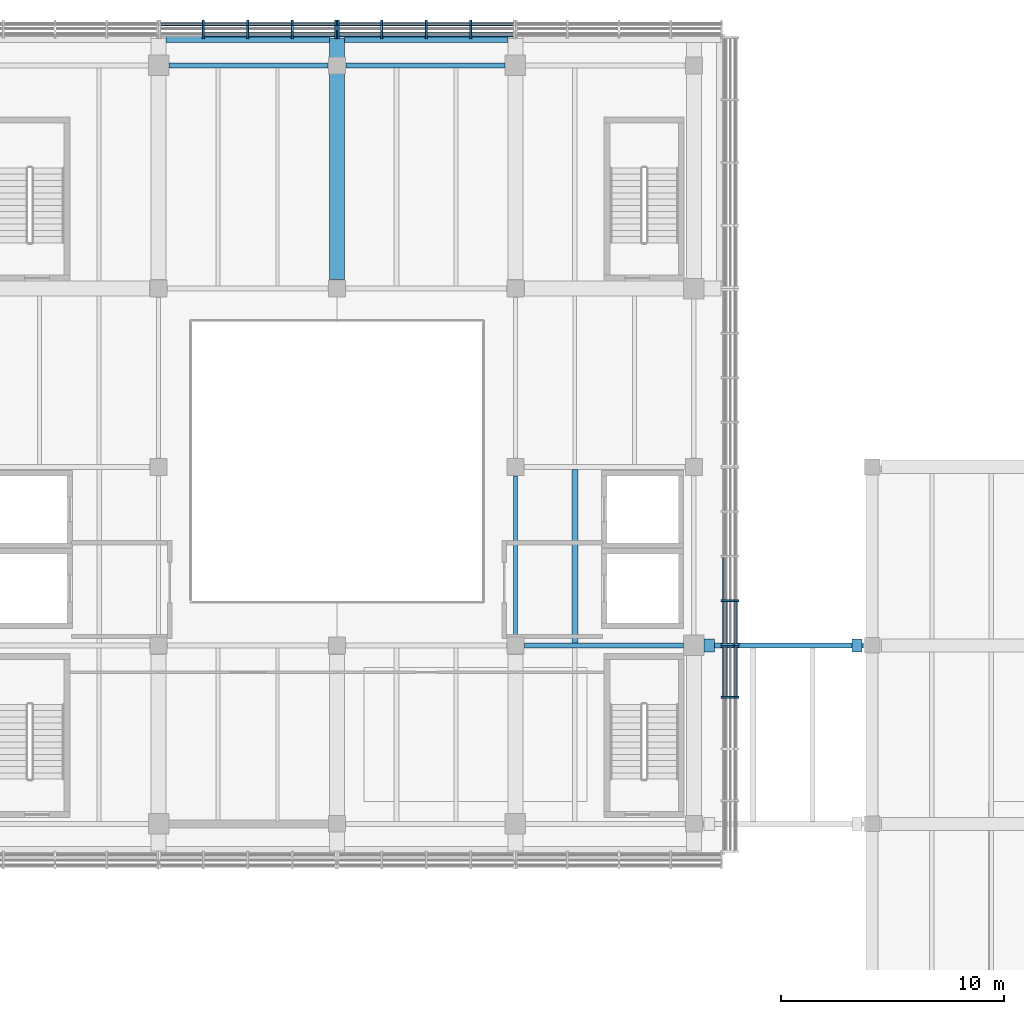
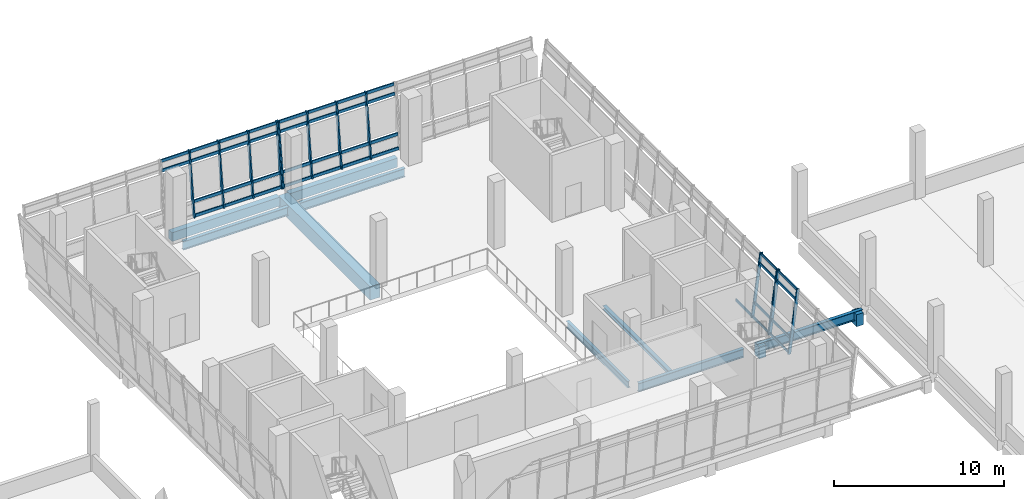
# One storey, part 15 of 52: 51 members, 11 beams, 4 elements without a shape of their own.
"""IFC4 building model written with IfcOpenShell, lengths in metres."""

import ifcopenshell
import ifcopenshell.guid

model = None  # the IFC model being written
_history = None  # IfcOwnerHistory: only IFC2X3 demands one
_inside = {}  # id of a spatial element -> (the spatial element, [elements in it])
_under = {}  # id of a project, library or spatial element -> (it, [spatial elements below it])
_declared = {}  # id of a project -> (the project, [libraries it declares])
_typed = {}  # id of a type object -> (the type object, [elements of that type])
_made_of = {}  # id of a material, layer set ... -> (it, [elements and type objects made of it])


def new_model(schema):
    """Start an empty IFC model of exactly this schema.

    Asked for "IFC4X3", IfcOpenShell would pick the latest addendum, in which some entities
    have other attributes; the version numbers below select the first issue.
    IFC2X3 requires an IfcOwnerHistory on every rooted entity: one is made here for all.
    """
    global model, _history
    if schema == "IFC4X3":
        model = ifcopenshell.file(schema_version=(4, 3, 0, 0))
    else:
        model = ifcopenshell.file(schema=schema)
    _inside.clear()
    _under.clear()
    _declared.clear()
    _typed.clear()
    _made_of.clear()
    _history = None
    if model.schema == "IFC2X3":
        org = make("IfcOrganization", Name="unknown")
        user = make(
            "IfcPersonAndOrganization",
            ThePerson=make("IfcPerson", FamilyName="unknown"),
            TheOrganization=org,
        )
        app = make(
            "IfcApplication",
            ApplicationDeveloper=org,
            Version="unknown",
            ApplicationFullName="unknown",
            ApplicationIdentifier="unknown",
        )
        _history = make(
            "IfcOwnerHistory",
            OwningUser=user,
            OwningApplication=app,
            ChangeAction="ADDED",
            CreationDate=0,
        )
    return model


def make(cls, **values):
    """One entity of the class cls with the attributes given. An attribute that is None is left unset."""
    return model.create_entity(
        cls, **{name: value for name, value in values.items() if value is not None}
    )


def rooted(cls, **values):
    """An entity with a GlobalId (a new one), such as an element, a storey or a relation."""
    return make(cls, GlobalId=ifcopenshell.guid.new(), OwnerHistory=_history, **values)


def si_unit(unit_type, name, prefix=None):
    """IfcSIUnit, for example si_unit("LENGTHUNIT", "METRE", prefix="MILLI")."""
    return make("IfcSIUnit", UnitType=unit_type, Prefix=prefix, Name=name)


def assignment(units):
    """IfcUnitAssignment: the units of a project."""
    return None if units is None else make("IfcUnitAssignment", Units=units)


def point(xyz):
    """IfcCartesianPoint."""
    return None if xyz is None else make("IfcCartesianPoint", Coordinates=xyz)


def direction(xyz):
    """IfcDirection."""
    return None if xyz is None else make("IfcDirection", DirectionRatios=xyz)


def frame(location, z_axis=None, x_axis=None):
    """IfcAxis2Placement3D, a coordinate frame: its origin and axes. An axis left out is left unset."""
    return make(
        "IfcAxis2Placement3D",
        Location=point(location),
        Axis=direction(z_axis),
        RefDirection=direction(x_axis),
    )


def frame_2d(location, x_axis=None):
    """IfcAxis2Placement2D, a coordinate frame in the plane: its origin and x axis."""
    return make(
        "IfcAxis2Placement2D", Location=point(location), RefDirection=direction(x_axis)
    )


def origin():
    """The frame at (0, 0, 0) with its axes left unset."""
    return frame((0.0, 0.0, 0.0))


def origin_2d():
    """The frame at (0, 0) in the plane with its x axis left unset."""
    return frame_2d((0.0, 0.0))


def place(relative_to, where):
    """IfcLocalPlacement: puts the frame where relative to a parent placement (None: the world)."""
    return make(
        "IfcLocalPlacement", PlacementRelTo=relative_to, RelativePlacement=where
    )


def context(
    kind, dimensions, precision=None, world=None, true_north=None, identifier=None
):
    """IfcGeometricRepresentationContext, for example the 3D "Model" context."""
    return make(
        "IfcGeometricRepresentationContext",
        ContextIdentifier=identifier,
        ContextType=kind,
        CoordinateSpaceDimension=dimensions,
        Precision=precision,
        WorldCoordinateSystem=world,
        TrueNorth=true_north,
    )


def subcontext(parent, identifier, kind, view, scale=None):
    """IfcGeometricRepresentationSubContext, for example "Body" below "Model"."""
    return make(
        "IfcGeometricRepresentationSubContext",
        ContextIdentifier=identifier,
        ContextType=kind,
        ParentContext=parent,
        TargetScale=scale,
        TargetView=view,
    )


def project(units=None, contexts=None):
    """IfcProject with its units and contexts."""
    return rooted(
        "IfcProject",
        Name="project",
        RepresentationContexts=contexts,
        UnitsInContext=assignment(units),
    )


def spatial(cls, under=None, at=None, **own):
    """A site, building, storey or space (cls), placed at a placement, below another one or the project."""
    s = rooted(cls, ObjectPlacement=at, **own)
    if under is not None:
        _under.setdefault(under.id(), (under, []))[1].append(s)
    return s


def profile(cls, at=None, kind="AREA", **sizes):
    """A parametric profile (cls). Its sizes go by their IFC names, for example OverallWidth=200.0."""
    return make(cls, ProfileType=kind, Position=at, **sizes)


def rectangle(**sizes):
    """IfcRectangleProfileDef."""
    return profile("IfcRectangleProfileDef", **sizes)


def i_section(**sizes):
    """IfcIShapeProfileDef."""
    return profile("IfcIShapeProfileDef", **sizes)


def extrude(swept, where, along, depth):
    """IfcExtrudedAreaSolid: the profile swept, set in the frame where, extruded along a direction by depth."""
    return make(
        "IfcExtrudedAreaSolid",
        SweptArea=swept,
        Position=where,
        ExtrudedDirection=direction(along),
        Depth=depth,
    )


def shape(context_of_items, identifier, shape_type, items):
    """IfcShapeRepresentation: the items that make up one representation, for example the "Body"."""
    return make(
        "IfcShapeRepresentation",
        ContextOfItems=context_of_items,
        RepresentationIdentifier=identifier,
        RepresentationType=shape_type,
        Items=items,
    )


def material(Name=None, Category=None):
    """IfcMaterial."""
    return make("IfcMaterial", Name=Name, Category=Category)


def material_profile(
    of_material, cross_section, Name=None, Category=None, Priority=None
):
    """IfcMaterialProfile: a cross section and its material."""
    return make(
        "IfcMaterialProfile",
        Name=Name,
        Material=of_material,
        Profile=cross_section,
        Priority=Priority,
        Category=Category,
    )


def profile_set(profiles, Name=None, composite=None):
    """IfcMaterialProfileSet."""
    return make(
        "IfcMaterialProfileSet",
        Name=Name,
        MaterialProfiles=profiles,
        CompositeProfile=composite,
    )


def made_of(thing, what):
    """Note that an element or type object is made of a material, layer set ...; save() writes the relation."""
    if what is not None:
        _made_of.setdefault(what.id(), (what, []))[1].append(thing)
    return thing


def type_object(cls, material=None, **own):
    """A type object (cls), such as IfcWallType, which elements share."""
    return made_of(rooted(cls, **own), material)


def element(
    cls,
    number,
    at=None,
    inside=None,
    cuts=None,
    type_object=None,
    material=None,
    context=None,
    identifier="Body",
    shape_type=None,
    held_by="IfcProductDefinitionShape",
    body=None,
    shapes=None,
    **own,
):
    """One element of the class cls, such as IfcWall. Its Tag is "e" and its number.

    at: its placement. inside: the storey or other place that contains it. cuts: it is an
    opening in that element (IfcRelVoidsElement). A single representation is given by context,
    identifier, shape_type and body (its items); several are given by shapes. held_by: the class
    of the entity that holds the representations. save() writes the other relations.
    """
    e = rooted(cls, Tag="e%d" % number, ObjectPlacement=at, **own)
    if body is not None:
        shapes = [shape(context, identifier, shape_type, body)]
    if shapes is not None:
        e.Representation = make(held_by, Representations=shapes)
    if inside is not None:
        _inside.setdefault(inside.id(), (inside, []))[1].append(e)
    if cuts is not None:
        rooted(
            "IfcRelVoidsElement", RelatingBuildingElement=cuts, RelatedOpeningElement=e
        )
    if type_object is not None:
        _typed.setdefault(type_object.id(), (type_object, []))[1].append(e)
    return made_of(e, material)


def aggregate(whole, parts):
    """IfcRelAggregates: a whole, such as a stair, and the parts it consists of."""
    return rooted("IfcRelAggregates", RelatingObject=whole, RelatedObjects=parts)


def save(model, path):
    """Write the relations noted so far, then the file.

    IfcRelAggregates (storeys below a building ...), IfcRelContainedInSpatialStructure (elements
    in a storey), IfcRelDefinesByType, IfcRelAssociatesMaterial and IfcRelDeclares: one each for
    every whole, place, type object, material and project.
    """
    for whole, parts in _under.values():
        aggregate(whole, parts)
    for where, things in _inside.values():
        rooted(
            "IfcRelContainedInSpatialStructure",
            RelatedElements=things,
            RelatingStructure=where,
        )
    for kind, things in _typed.values():
        rooted("IfcRelDefinesByType", RelatedObjects=things, RelatingType=kind)
    for what, things in _made_of.values():
        rooted("IfcRelAssociatesMaterial", RelatedObjects=things, RelatingMaterial=what)
    for by, libraries in _declared.values():
        rooted("IfcRelDeclares", RelatingContext=by, RelatedDefinitions=libraries)
    model.write(path)


model = new_model("IFC4")

# Units and contexts
model_context = context("Model", 3, precision=1e-05, world=origin(), true_north=direction((0.0, 1.0)))
body_context = subcontext(model_context, "Body", "Model", "MODEL_VIEW")
ifc_project = project(units=[si_unit("LENGTHUNIT", "METRE"), si_unit("AREAUNIT", "SQUARE_METRE"), si_unit("VOLUMEUNIT", "CUBIC_METRE"), si_unit("PLANEANGLEUNIT", "RADIAN"), si_unit("MASSUNIT", "GRAM", prefix="KILO")], contexts=[model_context])

# Site, building, storey
site_placement = place(None, origin())
site = spatial("IfcSite", under=ifc_project, at=site_placement, CompositionType="ELEMENT")
building_placement = place(site_placement, origin())
building = spatial("IfcBuilding", under=site, at=building_placement, Name="Pecanmere Concourse Central Library", CompositionType="ELEMENT")
storey_placement = place(building_placement, frame((0.0, 0.0, 10.5)))
storey = spatial("IfcBuildingStorey", under=building, at=storey_placement, Name="L03", CompositionType="ELEMENT", Elevation=10.5)

# Curtain wall, members
ifc_material_1 = material(Name="Anodized bronze aluminium alloy 6063-T6", Category="aluminium")
curtain_wall_type_1 = type_object("IfcCurtainWallType", Name="CW_LEAN_BANDED", PredefinedType="USERDEFINED", material=ifc_material_1)
curtain_wall_1_placement = place(storey_placement, origin())
curtain_wall_1 = element("IfcCurtainWall", 1, at=curtain_wall_1_placement, inside=storey, type_object=curtain_wall_type_1, Name="Unitised Curtain Wall CW-01 L03-030", ObjectType="UNITISED CURTAIN WALL", PredefinedType="USERDEFINED")
ifc_material_2 = material(Name="Anodized bronze aluminium alloy 6063-T6", Category="aluminium")
ifc_material_profile_1 = material_profile(ifc_material_2, rectangle(XDim=0.074951171875, YDim=0.199951171875, at=origin_2d()), Name="AL 75x200")
ifc_profile_set_1 = profile_set([ifc_material_profile_1], Name="Anodized bronze aluminium alloy 6063-T6")
member_type_1 = type_object("IfcMemberType", Name="CWM_200x75", PredefinedType="MULLION", material=ifc_profile_set_1)
member_1_placement = place(storey_placement, frame((105.321044921875, 95.676025390625, 0.0), z_axis=(0.132234484848, 0.0, 0.991218462811), x_axis=(0.0, 1.0, 0.0)))
member_1 = element("IfcMember", 2, at=member_1_placement, type_object=member_type_1, Name="CW-01 Mullion 4", PredefinedType="MULLION", context=body_context, shape_type="SweptSolid", body=[
    extrude(rectangle(XDim=0.074951171875, YDim=0.199951171875, at=origin_2d()), origin(), (0.0, 0.0, 1.0), 4.519775390625),
])
member_2_placement = place(storey_placement, frame((105.321044921875, 97.95751953125, 0.0), z_axis=(0.132234484848, 0.0, 0.991218462811), x_axis=(0.0, 1.0, 0.0)))
member_2 = element("IfcMember", 3, at=member_2_placement, type_object=member_type_1, Name="CW-01 Mullion 5", PredefinedType="MULLION", context=body_context, shape_type="SweptSolid", body=[
    extrude(rectangle(XDim=0.074951171875, YDim=0.199951171875, at=origin_2d()), origin(), (0.0, 0.0, 1.0), 4.519775390625),
])

curtain_wall_2_placement = place(storey_placement, origin())
curtain_wall_2 = element("IfcCurtainWall", 4, at=curtain_wall_2_placement, inside=storey, type_object=curtain_wall_type_1, Name="Unitised Curtain Wall CW-01 L03-031", ObjectType="UNITISED CURTAIN WALL", PredefinedType="USERDEFINED")
member_3_placement = place(storey_placement, frame((105.321044921875, 98.04248046875, 0.0), z_axis=(0.132234484848, 0.0, 0.991218462811), x_axis=(0.0, 1.0, 0.0)))
member_3 = element("IfcMember", 5, at=member_3_placement, type_object=member_type_1, Name="CW-01 Mullion 1", PredefinedType="MULLION", context=body_context, shape_type="SweptSolid", body=[
    extrude(rectangle(XDim=0.074951171875, YDim=0.199951171875, at=origin_2d()), origin(), (0.0, 0.0, 1.0), 4.519775390625),
])
member_4_placement = place(storey_placement, frame((105.321044921875, 100.00244140625, 0.0), z_axis=(0.132234484848, 0.0, 0.991218462811), x_axis=(0.0, 1.0, 0.0)))
member_4 = element("IfcMember", 6, at=member_4_placement, type_object=member_type_1, Name="CW-01 Mullion 2", PredefinedType="MULLION", context=body_context, shape_type="SweptSolid", body=[
    extrude(rectangle(XDim=0.074951171875, YDim=0.199951171875, at=origin_2d()), origin(), (0.0, 0.0, 1.0), 4.519775390625),
])

ifc_material_3 = material(Name="Anodized bronze aluminium alloy 6063-T6", Category="aluminium")
curtain_wall_type_2 = type_object("IfcCurtainWallType", Name="CW_PORTAL_CLEAR", PredefinedType="USERDEFINED", material=ifc_material_3)
curtain_wall_3_placement = place(storey_placement, origin())
curtain_wall_3 = element("IfcCurtainWall", 7, at=curtain_wall_3_placement, inside=storey, type_object=curtain_wall_type_2, Name="Unitised Curtain Wall CW-03 L03-023", ObjectType="UNITISED CURTAIN WALL", PredefinedType="USERDEFINED")
ifc_material_4 = material(Name="Anodized bronze aluminium alloy 6063-T6", Category="aluminium")
ifc_material_profile_2 = material_profile(ifc_material_4, rectangle(XDim=0.0849609375, YDim=0.239990234375, at=origin_2d()), Name="AL 85x240")
ifc_profile_set_2 = profile_set([ifc_material_profile_2], Name="Anodized bronze aluminium alloy 6063-T6")
member_type_2 = type_object("IfcMemberType", Name="CWM_240x85", PredefinedType="MULLION", material=ifc_profile_set_2)
member_5_placement = place(storey_placement, frame((93.99755859375, 125.321044921875, 0.0), z_axis=(0.0, 0.132234484848, 0.991218462811), x_axis=(-1.0, 0.0, 0.0)))
member_5 = element("IfcMember", 8, at=member_5_placement, type_object=member_type_2, Name="CW-03 Mullion 2", PredefinedType="MULLION", context=body_context, shape_type="SweptSolid", body=[
    extrude(rectangle(XDim=0.0849609375, YDim=0.239990234375, at=origin_2d()), origin(), (0.0, 0.0, 1.0), 4.519775390625),
])
member_6_placement = place(storey_placement, frame((92.0, 125.321044921875, 0.0), z_axis=(0.0, 0.132234484848, 0.991218462811), x_axis=(-1.0, 0.0, 0.0)))
member_6 = element("IfcMember", 9, at=member_6_placement, type_object=member_type_2, Name="CW-03 Mullion 3", PredefinedType="MULLION", context=body_context, shape_type="SweptSolid", body=[
    extrude(rectangle(XDim=0.0849609375, YDim=0.239990234375, at=origin_2d()), origin(), (0.0, 0.0, 1.0), 4.519775390625),
])
member_7_placement = place(storey_placement, frame((90.00244140625, 125.321044921875, 0.0), z_axis=(0.0, 0.132234484848, 0.991218462811), x_axis=(-1.0, 0.0, 0.0)))
member_7 = element("IfcMember", 10, at=member_7_placement, type_object=member_type_2, Name="CW-03 Mullion 4", PredefinedType="MULLION", context=body_context, shape_type="SweptSolid", body=[
    extrude(rectangle(XDim=0.0849609375, YDim=0.239990234375, at=origin_2d()), origin(), (0.0, 0.0, 1.0), 4.519775390625),
])
member_8_placement = place(storey_placement, frame((88.047607421875, 125.321044921875, 0.0), z_axis=(0.0, 0.132234484848, 0.991218462811), x_axis=(-1.0, 0.0, 0.0)))
member_8 = element("IfcMember", 11, at=member_8_placement, type_object=member_type_2, Name="CW-03 Mullion 5", PredefinedType="MULLION", context=body_context, shape_type="SweptSolid", body=[
    extrude(rectangle(XDim=0.0849609375, YDim=0.239990234375, at=origin_2d()), origin(), (0.0, 0.0, 1.0), 4.519775390625),
])

curtain_wall_4_placement = place(storey_placement, origin())
curtain_wall_4 = element("IfcCurtainWall", 12, at=curtain_wall_4_placement, inside=storey, type_object=curtain_wall_type_2, Name="Unitised Curtain Wall CW-03 L03-024", ObjectType="UNITISED CURTAIN WALL", PredefinedType="USERDEFINED")
member_9_placement = place(storey_placement, frame((87.952392578125, 125.321044921875, 0.0), z_axis=(0.0, 0.132234484848, 0.991218462811), x_axis=(-1.0, 0.0, 0.0)))
member_9 = element("IfcMember", 13, at=member_9_placement, type_object=member_type_2, Name="CW-03 Mullion 1", PredefinedType="MULLION", context=body_context, shape_type="SweptSolid", body=[
    extrude(rectangle(XDim=0.0849609375, YDim=0.239990234375, at=origin_2d()), origin(), (0.0, 0.0, 1.0), 4.519775390625),
])
member_10_placement = place(storey_placement, frame((85.99755859375, 125.321044921875, 0.0), z_axis=(0.0, 0.132234484848, 0.991218462811), x_axis=(-1.0, 0.0, 0.0)))
member_10 = element("IfcMember", 14, at=member_10_placement, type_object=member_type_2, Name="CW-03 Mullion 2", PredefinedType="MULLION", context=body_context, shape_type="SweptSolid", body=[
    extrude(rectangle(XDim=0.0849609375, YDim=0.239990234375, at=origin_2d()), origin(), (0.0, 0.0, 1.0), 4.519775390625),
])
member_11_placement = place(storey_placement, frame((84.0, 125.321044921875, 0.0), z_axis=(0.0, 0.132234484848, 0.991218462811), x_axis=(-1.0, 0.0, 0.0)))
member_11 = element("IfcMember", 15, at=member_11_placement, type_object=member_type_2, Name="CW-03 Mullion 3", PredefinedType="MULLION", context=body_context, shape_type="SweptSolid", body=[
    extrude(rectangle(XDim=0.0849609375, YDim=0.239990234375, at=origin_2d()), origin(), (0.0, 0.0, 1.0), 4.519775390625),
])
member_12_placement = place(storey_placement, frame((82.00244140625, 125.321044921875, 0.0), z_axis=(0.0, 0.132234484848, 0.991218462811), x_axis=(-1.0, 0.0, 0.0)))
member_12 = element("IfcMember", 16, at=member_12_placement, type_object=member_type_2, Name="CW-03 Mullion 4", PredefinedType="MULLION", context=body_context, shape_type="SweptSolid", body=[
    extrude(rectangle(XDim=0.0849609375, YDim=0.239990234375, at=origin_2d()), origin(), (0.0, 0.0, 1.0), 4.519775390625),
])

# Member
ifc_material_5 = material(Name="Anodized bronze aluminium alloy 6063-T6", Category="aluminium")
ifc_material_profile_3 = material_profile(ifc_material_5, rectangle(XDim=0.06494140625, YDim=0.179931640625, at=origin_2d()), Name="AL 65x180")
ifc_profile_set_3 = profile_set([ifc_material_profile_3], Name="Anodized bronze aluminium alloy 6063-T6")
member_type_3 = type_object("IfcMemberType", Name="CWT_180x65", PredefinedType="USERDEFINED", material=ifc_profile_set_3)
member_13_placement = place(storey_placement, frame((105.3330078125, 95.71337890625, 0.090087890625), z_axis=(0.0, 1.0, 0.0), x_axis=(-1.0, 0.0, 0.0)))
member_13 = element("IfcMember", 17, at=member_13_placement, type_object=member_type_3, Name="CW-01 Transom 4.1", ObjectType="TRANSOM", PredefinedType="USERDEFINED", context=body_context, shape_type="SweptSolid", body=[
    extrude(rectangle(XDim=0.06494140625, YDim=0.179931640625, at=origin_2d()), origin(), (0.0, 0.0, 1.0), 2.20654296875),
])

member_14_placement = place(storey_placement, frame((105.461181640625, 95.71337890625, 1.050048828125), z_axis=(0.0, 1.0, 0.0), x_axis=(-1.0, 0.0, 0.0)))
member_14 = element("IfcMember", 18, at=member_14_placement, type_object=member_type_3, Name="CW-01 Transom 4.2", ObjectType="TRANSOM", PredefinedType="USERDEFINED", context=body_context, shape_type="SweptSolid", body=[
    extrude(rectangle(XDim=0.06494140625, YDim=0.179931640625, at=origin_2d()), origin(), (0.0, 0.0, 1.0), 2.20654296875),
])

member_15_placement = place(storey_placement, frame((105.818603515625, 95.71337890625, 3.72998046875), z_axis=(0.0, 1.0, 0.0), x_axis=(-1.0, 0.0, 0.0)))
member_15 = element("IfcMember", 19, at=member_15_placement, type_object=member_type_3, Name="CW-01 Transom 4.3", ObjectType="TRANSOM", PredefinedType="USERDEFINED", context=body_context, shape_type="SweptSolid", body=[
    extrude(rectangle(XDim=0.06494140625, YDim=0.179931640625, at=origin_2d()), origin(), (0.0, 0.0, 1.0), 2.20654296875),
])

member_16_placement = place(storey_placement, frame((105.90673828125, 95.71337890625, 4.389892578125), z_axis=(0.0, 1.0, 0.0), x_axis=(-1.0, 0.0, 0.0)))
member_16 = element("IfcMember", 20, at=member_16_placement, type_object=member_type_3, Name="CW-01 Transom 4.4", ObjectType="TRANSOM", PredefinedType="USERDEFINED", context=body_context, shape_type="SweptSolid", body=[
    extrude(rectangle(XDim=0.06494140625, YDim=0.179931640625, at=origin_2d()), origin(), (0.0, 0.0, 1.0), 2.20654296875),
])

aggregate(curtain_wall_1, [member_1, member_2, member_13, member_14, member_15, member_16])

member_17_placement = place(storey_placement, frame((105.3330078125, 98.080078125, 0.090087890625), z_axis=(0.0, 1.0, 0.0), x_axis=(-1.0, 0.0, 0.0)))
member_17 = element("IfcMember", 21, at=member_17_placement, type_object=member_type_3, Name="CW-01 Transom 1.1", ObjectType="TRANSOM", PredefinedType="USERDEFINED", context=body_context, shape_type="SweptSolid", body=[
    extrude(rectangle(XDim=0.06494140625, YDim=0.179931640625, at=origin_2d()), origin(), (0.0, 0.0, 1.0), 1.885009765625),
])

member_18_placement = place(storey_placement, frame((105.461181640625, 98.080078125, 1.050048828125), z_axis=(0.0, 1.0, 0.0), x_axis=(-1.0, 0.0, 0.0)))
member_18 = element("IfcMember", 22, at=member_18_placement, type_object=member_type_3, Name="CW-01 Transom 1.2", ObjectType="TRANSOM", PredefinedType="USERDEFINED", context=body_context, shape_type="SweptSolid", body=[
    extrude(rectangle(XDim=0.06494140625, YDim=0.179931640625, at=origin_2d()), origin(), (0.0, 0.0, 1.0), 1.885009765625),
])

member_19_placement = place(storey_placement, frame((105.818603515625, 98.080078125, 3.72998046875), z_axis=(0.0, 1.0, 0.0), x_axis=(-1.0, 0.0, 0.0)))
member_19 = element("IfcMember", 23, at=member_19_placement, type_object=member_type_3, Name="CW-01 Transom 1.3", ObjectType="TRANSOM", PredefinedType="USERDEFINED", context=body_context, shape_type="SweptSolid", body=[
    extrude(rectangle(XDim=0.06494140625, YDim=0.179931640625, at=origin_2d()), origin(), (0.0, 0.0, 1.0), 1.885009765625),
])

member_20_placement = place(storey_placement, frame((105.90673828125, 98.080078125, 4.389892578125), z_axis=(0.0, 1.0, 0.0), x_axis=(-1.0, 0.0, 0.0)))
member_20 = element("IfcMember", 24, at=member_20_placement, type_object=member_type_3, Name="CW-01 Transom 1.4", ObjectType="TRANSOM", PredefinedType="USERDEFINED", context=body_context, shape_type="SweptSolid", body=[
    extrude(rectangle(XDim=0.06494140625, YDim=0.179931640625, at=origin_2d()), origin(), (0.0, 0.0, 1.0), 1.885009765625),
])

member_21_placement = place(storey_placement, frame((105.3330078125, 100.0400390625, 0.090087890625), z_axis=(0.0, 1.0, 0.0), x_axis=(-1.0, 0.0, 0.0)))
member_21 = element("IfcMember", 25, at=member_21_placement, type_object=member_type_3, Name="CW-01 Transom 2.1", ObjectType="TRANSOM", PredefinedType="USERDEFINED", context=body_context, shape_type="SweptSolid", body=[
    extrude(rectangle(XDim=0.06494140625, YDim=0.179931640625, at=origin_2d()), origin(), (0.0, 0.0, 1.0), 1.92236328125),
])

aggregate(curtain_wall_2, [member_3, member_4, member_17, member_18, member_19, member_20, member_21])

ifc_material_6 = material(Name="Anodized bronze aluminium alloy 6063-T6", Category="aluminium")
ifc_material_profile_4 = material_profile(ifc_material_6, rectangle(XDim=0.074951171875, YDim=0.2099609375, at=origin_2d()), Name="AL 75x210")
ifc_profile_set_4 = profile_set([ifc_material_profile_4], Name="Anodized bronze aluminium alloy 6063-T6")
member_type_4 = type_object("IfcMemberType", Name="CWT_210x75", PredefinedType="USERDEFINED", material=ifc_profile_set_4)
member_22_placement = place(storey_placement, frame((95.909912109375, 125.3349609375, 0.10498046875), z_axis=(-1.0, 0.0, 0.0), x_axis=(0.0, -1.0, 0.0)))
member_22 = element("IfcMember", 26, at=member_22_placement, type_object=member_type_4, Name="CW-03 Transom 1.1", ObjectType="TRANSOM", PredefinedType="USERDEFINED", context=body_context, shape_type="SweptSolid", body=[
    extrude(rectangle(XDim=0.074951171875, YDim=0.2099609375, at=origin_2d()), origin(), (0.0, 0.0, 1.0), 1.869873046875),
])

member_23_placement = place(storey_placement, frame((95.909912109375, 125.461181640625, 1.050048828125), z_axis=(-1.0, 0.0, 0.0), x_axis=(0.0, -1.0, 0.0)))
member_23 = element("IfcMember", 27, at=member_23_placement, type_object=member_type_4, Name="CW-03 Transom 1.2", ObjectType="TRANSOM", PredefinedType="USERDEFINED", context=body_context, shape_type="SweptSolid", body=[
    extrude(rectangle(XDim=0.074951171875, YDim=0.2099609375, at=origin_2d()), origin(), (0.0, 0.0, 1.0), 1.869873046875),
])

member_24_placement = place(storey_placement, frame((95.909912109375, 125.818603515625, 3.72998046875), z_axis=(-1.0, 0.0, 0.0), x_axis=(0.0, -1.0, 0.0)))
member_24 = element("IfcMember", 28, at=member_24_placement, type_object=member_type_4, Name="CW-03 Transom 1.3", ObjectType="TRANSOM", PredefinedType="USERDEFINED", context=body_context, shape_type="SweptSolid", body=[
    extrude(rectangle(XDim=0.074951171875, YDim=0.2099609375, at=origin_2d()), origin(), (0.0, 0.0, 1.0), 1.869873046875),
])

member_25_placement = place(storey_placement, frame((95.909912109375, 125.90478515625, 4.375), z_axis=(-1.0, 0.0, 0.0), x_axis=(0.0, -1.0, 0.0)))
member_25 = element("IfcMember", 29, at=member_25_placement, type_object=member_type_4, Name="CW-03 Transom 1.4", ObjectType="TRANSOM", PredefinedType="USERDEFINED", context=body_context, shape_type="SweptSolid", body=[
    extrude(rectangle(XDim=0.074951171875, YDim=0.2099609375, at=origin_2d()), origin(), (0.0, 0.0, 1.0), 1.869873046875),
])

member_26_placement = place(storey_placement, frame((93.955078125, 125.3349609375, 0.10498046875), z_axis=(-1.0, 0.0, 0.0), x_axis=(0.0, -1.0, 0.0)))
member_26 = element("IfcMember", 30, at=member_26_placement, type_object=member_type_4, Name="CW-03 Transom 2.1", ObjectType="TRANSOM", PredefinedType="USERDEFINED", context=body_context, shape_type="SweptSolid", body=[
    extrude(rectangle(XDim=0.074951171875, YDim=0.2099609375, at=origin_2d()), origin(), (0.0, 0.0, 1.0), 1.91259765625),
])

member_27_placement = place(storey_placement, frame((93.955078125, 125.461181640625, 1.050048828125), z_axis=(-1.0, 0.0, 0.0), x_axis=(0.0, -1.0, 0.0)))
member_27 = element("IfcMember", 31, at=member_27_placement, type_object=member_type_4, Name="CW-03 Transom 2.2", ObjectType="TRANSOM", PredefinedType="USERDEFINED", context=body_context, shape_type="SweptSolid", body=[
    extrude(rectangle(XDim=0.074951171875, YDim=0.2099609375, at=origin_2d()), origin(), (0.0, 0.0, 1.0), 1.91259765625),
])

member_28_placement = place(storey_placement, frame((93.955078125, 125.818603515625, 3.72998046875), z_axis=(-1.0, 0.0, 0.0), x_axis=(0.0, -1.0, 0.0)))
member_28 = element("IfcMember", 32, at=member_28_placement, type_object=member_type_4, Name="CW-03 Transom 2.3", ObjectType="TRANSOM", PredefinedType="USERDEFINED", context=body_context, shape_type="SweptSolid", body=[
    extrude(rectangle(XDim=0.074951171875, YDim=0.2099609375, at=origin_2d()), origin(), (0.0, 0.0, 1.0), 1.91259765625),
])

member_29_placement = place(storey_placement, frame((93.955078125, 125.90478515625, 4.375), z_axis=(-1.0, 0.0, 0.0), x_axis=(0.0, -1.0, 0.0)))
member_29 = element("IfcMember", 33, at=member_29_placement, type_object=member_type_4, Name="CW-03 Transom 2.4", ObjectType="TRANSOM", PredefinedType="USERDEFINED", context=body_context, shape_type="SweptSolid", body=[
    extrude(rectangle(XDim=0.074951171875, YDim=0.2099609375, at=origin_2d()), origin(), (0.0, 0.0, 1.0), 1.91259765625),
])

member_30_placement = place(storey_placement, frame((91.95751953125, 125.3349609375, 0.10498046875), z_axis=(-1.0, 0.0, 0.0), x_axis=(0.0, -1.0, 0.0)))
member_30 = element("IfcMember", 34, at=member_30_placement, type_object=member_type_4, Name="CW-03 Transom 3.1", ObjectType="TRANSOM", PredefinedType="USERDEFINED", context=body_context, shape_type="SweptSolid", body=[
    extrude(rectangle(XDim=0.074951171875, YDim=0.2099609375, at=origin_2d()), origin(), (0.0, 0.0, 1.0), 1.91259765625),
])

member_31_placement = place(storey_placement, frame((91.95751953125, 125.461181640625, 1.050048828125), z_axis=(-1.0, 0.0, 0.0), x_axis=(0.0, -1.0, 0.0)))
member_31 = element("IfcMember", 35, at=member_31_placement, type_object=member_type_4, Name="CW-03 Transom 3.2", ObjectType="TRANSOM", PredefinedType="USERDEFINED", context=body_context, shape_type="SweptSolid", body=[
    extrude(rectangle(XDim=0.074951171875, YDim=0.2099609375, at=origin_2d()), origin(), (0.0, 0.0, 1.0), 1.91259765625),
])

member_32_placement = place(storey_placement, frame((91.95751953125, 125.818603515625, 3.72998046875), z_axis=(-1.0, 0.0, 0.0), x_axis=(0.0, -1.0, 0.0)))
member_32 = element("IfcMember", 36, at=member_32_placement, type_object=member_type_4, Name="CW-03 Transom 3.3", ObjectType="TRANSOM", PredefinedType="USERDEFINED", context=body_context, shape_type="SweptSolid", body=[
    extrude(rectangle(XDim=0.074951171875, YDim=0.2099609375, at=origin_2d()), origin(), (0.0, 0.0, 1.0), 1.91259765625),
])

member_33_placement = place(storey_placement, frame((91.95751953125, 125.90478515625, 4.375), z_axis=(-1.0, 0.0, 0.0), x_axis=(0.0, -1.0, 0.0)))
member_33 = element("IfcMember", 37, at=member_33_placement, type_object=member_type_4, Name="CW-03 Transom 3.4", ObjectType="TRANSOM", PredefinedType="USERDEFINED", context=body_context, shape_type="SweptSolid", body=[
    extrude(rectangle(XDim=0.074951171875, YDim=0.2099609375, at=origin_2d()), origin(), (0.0, 0.0, 1.0), 1.91259765625),
])

member_34_placement = place(storey_placement, frame((89.9599609375, 125.3349609375, 0.10498046875), z_axis=(-1.0, 0.0, 0.0), x_axis=(0.0, -1.0, 0.0)))
member_34 = element("IfcMember", 38, at=member_34_placement, type_object=member_type_4, Name="CW-03 Transom 4.1", ObjectType="TRANSOM", PredefinedType="USERDEFINED", context=body_context, shape_type="SweptSolid", body=[
    extrude(rectangle(XDim=0.074951171875, YDim=0.2099609375, at=origin_2d()), origin(), (0.0, 0.0, 1.0), 1.869873046875),
])

member_35_placement = place(storey_placement, frame((89.9599609375, 125.461181640625, 1.050048828125), z_axis=(-1.0, 0.0, 0.0), x_axis=(0.0, -1.0, 0.0)))
member_35 = element("IfcMember", 39, at=member_35_placement, type_object=member_type_4, Name="CW-03 Transom 4.2", ObjectType="TRANSOM", PredefinedType="USERDEFINED", context=body_context, shape_type="SweptSolid", body=[
    extrude(rectangle(XDim=0.074951171875, YDim=0.2099609375, at=origin_2d()), origin(), (0.0, 0.0, 1.0), 1.869873046875),
])

member_36_placement = place(storey_placement, frame((89.9599609375, 125.818603515625, 3.72998046875), z_axis=(-1.0, 0.0, 0.0), x_axis=(0.0, -1.0, 0.0)))
member_36 = element("IfcMember", 40, at=member_36_placement, type_object=member_type_4, Name="CW-03 Transom 4.3", ObjectType="TRANSOM", PredefinedType="USERDEFINED", context=body_context, shape_type="SweptSolid", body=[
    extrude(rectangle(XDim=0.074951171875, YDim=0.2099609375, at=origin_2d()), origin(), (0.0, 0.0, 1.0), 1.869873046875),
])

member_37_placement = place(storey_placement, frame((89.9599609375, 125.90478515625, 4.375), z_axis=(-1.0, 0.0, 0.0), x_axis=(0.0, -1.0, 0.0)))
member_37 = element("IfcMember", 41, at=member_37_placement, type_object=member_type_4, Name="CW-03 Transom 4.4", ObjectType="TRANSOM", PredefinedType="USERDEFINED", context=body_context, shape_type="SweptSolid", body=[
    extrude(rectangle(XDim=0.074951171875, YDim=0.2099609375, at=origin_2d()), origin(), (0.0, 0.0, 1.0), 1.869873046875),
])

aggregate(curtain_wall_3, [member_5, member_6, member_7, member_8, member_22, member_23, member_24, member_25, member_26, member_27, member_28, member_29, member_30, member_31, member_32, member_33, member_34, member_35, member_36, member_37])

member_38_placement = place(storey_placement, frame((87.909912109375, 125.3349609375, 0.10498046875), z_axis=(-1.0, 0.0, 0.0), x_axis=(0.0, -1.0, 0.0)))
member_38 = element("IfcMember", 42, at=member_38_placement, type_object=member_type_4, Name="CW-03 Transom 1.1", ObjectType="TRANSOM", PredefinedType="USERDEFINED", context=body_context, shape_type="SweptSolid", body=[
    extrude(rectangle(XDim=0.074951171875, YDim=0.2099609375, at=origin_2d()), origin(), (0.0, 0.0, 1.0), 1.869873046875),
])

member_39_placement = place(storey_placement, frame((87.909912109375, 125.461181640625, 1.050048828125), z_axis=(-1.0, 0.0, 0.0), x_axis=(0.0, -1.0, 0.0)))
member_39 = element("IfcMember", 43, at=member_39_placement, type_object=member_type_4, Name="CW-03 Transom 1.2", ObjectType="TRANSOM", PredefinedType="USERDEFINED", context=body_context, shape_type="SweptSolid", body=[
    extrude(rectangle(XDim=0.074951171875, YDim=0.2099609375, at=origin_2d()), origin(), (0.0, 0.0, 1.0), 1.869873046875),
])

member_40_placement = place(storey_placement, frame((87.909912109375, 125.818603515625, 3.72998046875), z_axis=(-1.0, 0.0, 0.0), x_axis=(0.0, -1.0, 0.0)))
member_40 = element("IfcMember", 44, at=member_40_placement, type_object=member_type_4, Name="CW-03 Transom 1.3", ObjectType="TRANSOM", PredefinedType="USERDEFINED", context=body_context, shape_type="SweptSolid", body=[
    extrude(rectangle(XDim=0.074951171875, YDim=0.2099609375, at=origin_2d()), origin(), (0.0, 0.0, 1.0), 1.869873046875),
])

member_41_placement = place(storey_placement, frame((87.909912109375, 125.90478515625, 4.375), z_axis=(-1.0, 0.0, 0.0), x_axis=(0.0, -1.0, 0.0)))
member_41 = element("IfcMember", 45, at=member_41_placement, type_object=member_type_4, Name="CW-03 Transom 1.4", ObjectType="TRANSOM", PredefinedType="USERDEFINED", context=body_context, shape_type="SweptSolid", body=[
    extrude(rectangle(XDim=0.074951171875, YDim=0.2099609375, at=origin_2d()), origin(), (0.0, 0.0, 1.0), 1.869873046875),
])

member_42_placement = place(storey_placement, frame((85.955078125, 125.3349609375, 0.10498046875), z_axis=(-1.0, 0.0, 0.0), x_axis=(0.0, -1.0, 0.0)))
member_42 = element("IfcMember", 46, at=member_42_placement, type_object=member_type_4, Name="CW-03 Transom 2.1", ObjectType="TRANSOM", PredefinedType="USERDEFINED", context=body_context, shape_type="SweptSolid", body=[
    extrude(rectangle(XDim=0.074951171875, YDim=0.2099609375, at=origin_2d()), origin(), (0.0, 0.0, 1.0), 1.91259765625),
])

member_43_placement = place(storey_placement, frame((85.955078125, 125.461181640625, 1.050048828125), z_axis=(-1.0, 0.0, 0.0), x_axis=(0.0, -1.0, 0.0)))
member_43 = element("IfcMember", 47, at=member_43_placement, type_object=member_type_4, Name="CW-03 Transom 2.2", ObjectType="TRANSOM", PredefinedType="USERDEFINED", context=body_context, shape_type="SweptSolid", body=[
    extrude(rectangle(XDim=0.074951171875, YDim=0.2099609375, at=origin_2d()), origin(), (0.0, 0.0, 1.0), 1.91259765625),
])

member_44_placement = place(storey_placement, frame((85.955078125, 125.818603515625, 3.72998046875), z_axis=(-1.0, 0.0, 0.0), x_axis=(0.0, -1.0, 0.0)))
member_44 = element("IfcMember", 48, at=member_44_placement, type_object=member_type_4, Name="CW-03 Transom 2.3", ObjectType="TRANSOM", PredefinedType="USERDEFINED", context=body_context, shape_type="SweptSolid", body=[
    extrude(rectangle(XDim=0.074951171875, YDim=0.2099609375, at=origin_2d()), origin(), (0.0, 0.0, 1.0), 1.91259765625),
])

member_45_placement = place(storey_placement, frame((85.955078125, 125.90478515625, 4.375), z_axis=(-1.0, 0.0, 0.0), x_axis=(0.0, -1.0, 0.0)))
member_45 = element("IfcMember", 49, at=member_45_placement, type_object=member_type_4, Name="CW-03 Transom 2.4", ObjectType="TRANSOM", PredefinedType="USERDEFINED", context=body_context, shape_type="SweptSolid", body=[
    extrude(rectangle(XDim=0.074951171875, YDim=0.2099609375, at=origin_2d()), origin(), (0.0, 0.0, 1.0), 1.91259765625),
])

member_46_placement = place(storey_placement, frame((83.95751953125, 125.3349609375, 0.10498046875), z_axis=(-1.0, 0.0, 0.0), x_axis=(0.0, -1.0, 0.0)))
member_46 = element("IfcMember", 50, at=member_46_placement, type_object=member_type_4, Name="CW-03 Transom 3.1", ObjectType="TRANSOM", PredefinedType="USERDEFINED", context=body_context, shape_type="SweptSolid", body=[
    extrude(rectangle(XDim=0.074951171875, YDim=0.2099609375, at=origin_2d()), origin(), (0.0, 0.0, 1.0), 1.91259765625),
])

member_47_placement = place(storey_placement, frame((83.95751953125, 125.461181640625, 1.050048828125), z_axis=(-1.0, 0.0, 0.0), x_axis=(0.0, -1.0, 0.0)))
member_47 = element("IfcMember", 51, at=member_47_placement, type_object=member_type_4, Name="CW-03 Transom 3.2", ObjectType="TRANSOM", PredefinedType="USERDEFINED", context=body_context, shape_type="SweptSolid", body=[
    extrude(rectangle(XDim=0.074951171875, YDim=0.2099609375, at=origin_2d()), origin(), (0.0, 0.0, 1.0), 1.91259765625),
])

member_48_placement = place(storey_placement, frame((83.95751953125, 125.818603515625, 3.72998046875), z_axis=(-1.0, 0.0, 0.0), x_axis=(0.0, -1.0, 0.0)))
member_48 = element("IfcMember", 52, at=member_48_placement, type_object=member_type_4, Name="CW-03 Transom 3.3", ObjectType="TRANSOM", PredefinedType="USERDEFINED", context=body_context, shape_type="SweptSolid", body=[
    extrude(rectangle(XDim=0.074951171875, YDim=0.2099609375, at=origin_2d()), origin(), (0.0, 0.0, 1.0), 1.91259765625),
])

member_49_placement = place(storey_placement, frame((83.95751953125, 125.90478515625, 4.375), z_axis=(-1.0, 0.0, 0.0), x_axis=(0.0, -1.0, 0.0)))
member_49 = element("IfcMember", 53, at=member_49_placement, type_object=member_type_4, Name="CW-03 Transom 3.4", ObjectType="TRANSOM", PredefinedType="USERDEFINED", context=body_context, shape_type="SweptSolid", body=[
    extrude(rectangle(XDim=0.074951171875, YDim=0.2099609375, at=origin_2d()), origin(), (0.0, 0.0, 1.0), 1.91259765625),
])

member_50_placement = place(storey_placement, frame((81.9599609375, 125.818603515625, 3.72998046875), z_axis=(-1.0, 0.0, 0.0), x_axis=(0.0, -1.0, 0.0)))
member_50 = element("IfcMember", 54, at=member_50_placement, type_object=member_type_4, Name="CW-03 Transom 4.3", ObjectType="TRANSOM", PredefinedType="USERDEFINED", context=body_context, shape_type="SweptSolid", body=[
    extrude(rectangle(XDim=0.074951171875, YDim=0.2099609375, at=origin_2d()), origin(), (0.0, 0.0, 1.0), 1.869873046875),
])

member_51_placement = place(storey_placement, frame((81.9599609375, 125.90478515625, 4.375), z_axis=(-1.0, 0.0, 0.0), x_axis=(0.0, -1.0, 0.0)))
member_51 = element("IfcMember", 55, at=member_51_placement, type_object=member_type_4, Name="CW-03 Transom 4.4", ObjectType="TRANSOM", PredefinedType="USERDEFINED", context=body_context, shape_type="SweptSolid", body=[
    extrude(rectangle(XDim=0.074951171875, YDim=0.2099609375, at=origin_2d()), origin(), (0.0, 0.0, 1.0), 1.869873046875),
])

aggregate(curtain_wall_4, [member_9, member_10, member_11, member_12, member_38, member_39, member_40, member_41, member_42, member_43, member_44, member_45, member_46, member_47, member_48, member_49, member_50, member_51])

# Beams
ifc_material_7 = material(Name="Concrete C40/50", Category="concrete")
ifc_material_profile_5 = material_profile(ifc_material_7, rectangle(XDim=0.580078125, YDim=0.860107421875, at=origin_2d()), Name="RC 580x860")
ifc_profile_set_5 = profile_set([ifc_material_profile_5], Name="Concrete C40/50")
beam_type_1 = type_object("IfcBeamType", Name="GRD_580x860", PredefinedType="USERDEFINED", material=ifc_profile_set_5)
for number, where, z_axis, x_axis, name in (
    (56, (104.4599609375, 98.0, -0.860107421875), (1.0, 0.0, 0.0), (0.0, 1.0, 0.0), "Bridge Bearing Corbel Seat 06"),
    (57, (111.5400390625, 98.0, -0.860107421875), (-1.0, 0.0, 0.0), (0.0, -1.0, 0.0), "Bridge Bearing Corbel Seat 08"),
):
    element("IfcBeam", number, at=place(storey_placement, frame(where, z_axis=z_axis, x_axis=x_axis)), inside=storey, type_object=beam_type_1, Name=name, ObjectType="GIRDER", PredefinedType="USERDEFINED", context=body_context, shape_type="SweptSolid", body=[
        extrude(rectangle(XDim=0.580078125, YDim=0.860107421875, at=origin_2d()), origin(), (0.0, 0.0, 1.0), 0.4599609375),
    ])
ifc_material_8 = material(Name="Concrete C40/50", Category="concrete")
ifc_material_profile_6 = material_profile(ifc_material_8, rectangle(XDim=0.659912109375, YDim=0.97998046875, at=origin_2d()), Name="RC 660x980")
ifc_profile_set_6 = profile_set([ifc_material_profile_6], Name="Concrete C40/50")
beam_type_2 = type_object("IfcBeamType", Name="GRD_660x980", PredefinedType="USERDEFINED", material=ifc_profile_set_6)
beam_1_placement = place(storey_placement, frame((88.0, 114.39990234375, -0.830078125), z_axis=(0.0, 1.0, 0.0), x_axis=(-1.0, 0.0, 0.0)))
element("IfcBeam", 58, at=beam_1_placement, inside=storey, type_object=beam_type_2, Name="Primary Girder Y L03-1747", ObjectType="GIRDER", PredefinedType="USERDEFINED", context=body_context, shape_type="SweptSolid", body=[
    extrude(rectangle(XDim=0.659912109375, YDim=0.97998046875, at=origin_2d()), origin(), (0.0, 0.0, 1.0), 10.81103515625),
])
ifc_material_9 = material(Name="Structural steel ASTM A992 Grade 50", Category="steel")
ifc_material_profile_7 = material_profile(ifc_material_9, i_section(OverallWidth=0.25390625, OverallDepth=0.2529296875, WebThickness=0.008544921875, FlangeThickness=0.01416015625, at=origin_2d()), Name="W250x73")
ifc_profile_set_7 = profile_set([ifc_material_profile_7], Name="Structural steel ASTM A992 Grade 50")
beam_type_3 = type_object("IfcBeamType", Name="SBM_W250x73", PredefinedType="BEAM", material=ifc_profile_set_7)
beam_2_placement = place(storey_placement, frame((98.666748046875, 98.114990234375, -0.466552734375), z_axis=(0.0, 1.0, 0.0), x_axis=(-1.0, 0.0, 0.0)))
element("IfcBeam", 59, at=beam_2_placement, inside=storey, type_object=beam_type_3, Name="Secondary Floor Joist L03-1989", PredefinedType="BEAM", context=body_context, shape_type="SweptSolid", body=[
    extrude(i_section(OverallWidth=0.25390625, OverallDepth=0.2529296875, WebThickness=0.008544921875, FlangeThickness=0.01416015625, at=origin_2d()), origin(), (0.0, 0.0, 1.0), 7.77001953125),
])
ifc_material_10 = material(Name="Structural steel ASTM A992 Grade 50", Category="steel")
ifc_material_profile_8 = material_profile(ifc_material_10, i_section(OverallWidth=0.194091796875, OverallDepth=0.468994140625, WebThickness=0.0126953125, FlangeThickness=0.0205078125, at=origin_2d()), Name="W460x106")
ifc_profile_set_8 = profile_set([ifc_material_profile_8], Name="Structural steel ASTM A992 Grade 50")
beam_type_4 = type_object("IfcBeamType", Name="SBM_W460x106", PredefinedType="USERDEFINED", material=ifc_profile_set_8)
beam_3_placement = place(storey_placement, frame((96.0, 98.39990234375, -0.574462890625), z_axis=(0.0, 1.0, 0.0), x_axis=(-1.0, 0.0, 0.0)))
element("IfcBeam", 60, at=beam_3_placement, inside=storey, type_object=beam_type_4, Name="Primary Girder Y L03-1754", ObjectType="GIRDER", PredefinedType="USERDEFINED", context=body_context, shape_type="SweptSolid", body=[
    extrude(i_section(OverallWidth=0.194091796875, OverallDepth=0.468994140625, WebThickness=0.0126953125, FlangeThickness=0.0205078125, at=origin_2d()), origin(), (0.0, 0.0, 1.0), 7.2001953125),
])
ifc_material_11 = material(Name="Structural steel ASTM A992 Grade 50", Category="steel")
ifc_material_profile_9 = material_profile(ifc_material_11, i_section(OverallWidth=0.22998046875, OverallDepth=0.616943359375, WebThickness=0.01318359375, FlangeThickness=0.022216796875, at=origin_2d()), Name="W610x140")
ifc_profile_set_9 = profile_set([ifc_material_profile_9], Name="Structural steel ASTM A992 Grade 50")
beam_type_5 = type_object("IfcBeamType", Name="SBM_W610x140", PredefinedType="USERDEFINED", material=ifc_profile_set_9)
for number, where, z_axis, x_axis, name in (
    (61, (96.39990234375, 98.0, -0.6484375), (1.0, 0.0, 0.0), (0.0, 1.0, 0.0), "Primary Girder X L03-1631"),
    (62, (104.4599609375, 98.0, -0.6484375), (1.0, 0.0, 0.0), (0.0, 1.0, 0.0), "Primary Girder X L03-1632"),
    (63, (80.4599609375, 124.0, -0.6484375), (1.0, 0.0, 0.0), (0.0, 1.0, 0.0), "Primary Girder X L03-1655"),
    (64, (88.39990234375, 124.0, -0.6484375), (1.0, 0.0, 0.0), (0.0, 1.0, 0.0), "Primary Girder X L03-1656"),
):
    element("IfcBeam", number, at=place(storey_placement, frame(where, z_axis=z_axis, x_axis=x_axis)), inside=storey, type_object=beam_type_5, Name=name, ObjectType="GIRDER", PredefinedType="USERDEFINED", context=body_context, shape_type="SweptSolid", body=[
        extrude(i_section(OverallWidth=0.22998046875, OverallDepth=0.616943359375, WebThickness=0.01318359375, FlangeThickness=0.022216796875, at=origin_2d()), origin(), (0.0, 0.0, 1.0), 7.14013671875),
    ])
ifc_material_12 = material(Name="Concrete C40/50", Category="concrete")
ifc_material_profile_10 = material_profile(ifc_material_12, rectangle(XDim=0.3798828125, YDim=0.639892578125, at=origin_2d()), Name="RC 380x640")
ifc_profile_set_10 = profile_set([ifc_material_profile_10], Name="Concrete C40/50")
beam_type_6 = type_object("IfcBeamType", Name="SPB_380x640", PredefinedType="BEAM", material=ifc_profile_set_10)
for number, where, z_axis, x_axis, name in (
    (65, (80.330078125, 125.2109375, -0.659912109375), (1.0, 0.0, 0.0), (0.0, 1.0, 0.0), "Leaning Facade Edge Beam L03-1840"),
    (66, (88.330078125, 125.2109375, -0.659912109375), (1.0, 0.0, 0.0), (0.0, 1.0, 0.0), "Leaning Facade Edge Beam L03-1841"),
):
    element("IfcBeam", number, at=place(storey_placement, frame(where, z_axis=z_axis, x_axis=x_axis)), inside=storey, type_object=beam_type_6, Name=name, PredefinedType="BEAM", context=body_context, shape_type="SweptSolid", body=[
        extrude(rectangle(XDim=0.3798828125, YDim=0.639892578125, at=origin_2d()), origin(), (0.0, 0.0, 1.0), 7.33984375),
    ])

save(model, "model.ifc")
